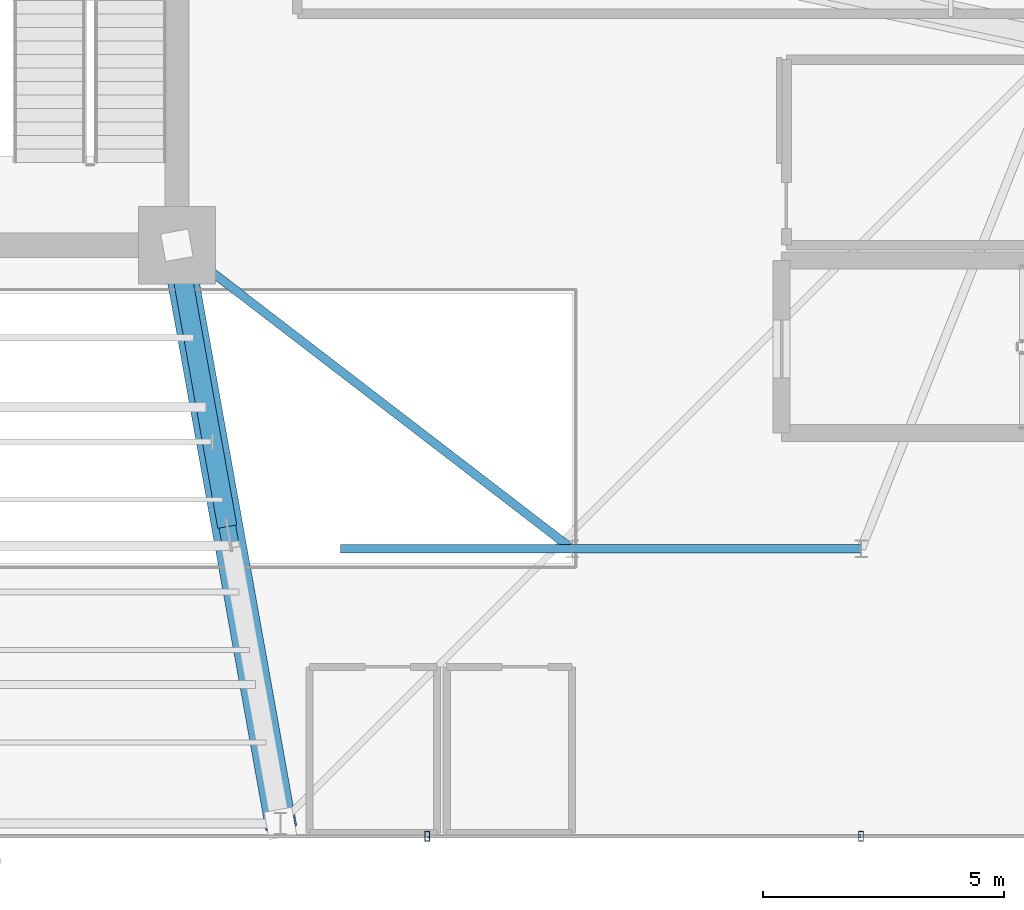
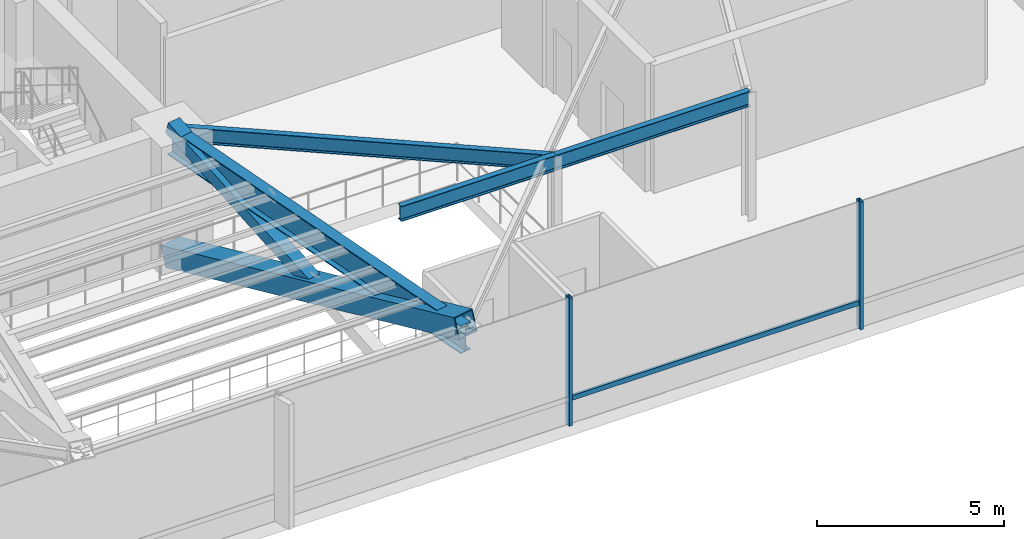
# One storey, part 9 of 32: 5 members, 4 beams, 1 element without a shape of its own.
"""IFC4 building model written with IfcOpenShell, lengths in metres."""

import ifcopenshell
import ifcopenshell.guid

model = None  # the IFC model being written
_history = None  # IfcOwnerHistory: only IFC2X3 demands one
_inside = {}  # id of a spatial element -> (the spatial element, [elements in it])
_under = {}  # id of a project, library or spatial element -> (it, [spatial elements below it])
_declared = {}  # id of a project -> (the project, [libraries it declares])
_typed = {}  # id of a type object -> (the type object, [elements of that type])
_made_of = {}  # id of a material, layer set ... -> (it, [elements and type objects made of it])


def new_model(schema):
    """Start an empty IFC model of exactly this schema.

    Asked for "IFC4X3", IfcOpenShell would pick the latest addendum, in which some entities
    have other attributes; the version numbers below select the first issue.
    IFC2X3 requires an IfcOwnerHistory on every rooted entity: one is made here for all.
    """
    global model, _history
    if schema == "IFC4X3":
        model = ifcopenshell.file(schema_version=(4, 3, 0, 0))
    else:
        model = ifcopenshell.file(schema=schema)
    _inside.clear()
    _under.clear()
    _declared.clear()
    _typed.clear()
    _made_of.clear()
    _history = None
    if model.schema == "IFC2X3":
        org = make("IfcOrganization", Name="unknown")
        user = make(
            "IfcPersonAndOrganization",
            ThePerson=make("IfcPerson", FamilyName="unknown"),
            TheOrganization=org,
        )
        app = make(
            "IfcApplication",
            ApplicationDeveloper=org,
            Version="unknown",
            ApplicationFullName="unknown",
            ApplicationIdentifier="unknown",
        )
        _history = make(
            "IfcOwnerHistory",
            OwningUser=user,
            OwningApplication=app,
            ChangeAction="ADDED",
            CreationDate=0,
        )
    return model


def make(cls, **values):
    """One entity of the class cls with the attributes given. An attribute that is None is left unset."""
    return model.create_entity(
        cls, **{name: value for name, value in values.items() if value is not None}
    )


def rooted(cls, **values):
    """An entity with a GlobalId (a new one), such as an element, a storey or a relation."""
    return make(cls, GlobalId=ifcopenshell.guid.new(), OwnerHistory=_history, **values)


def si_unit(unit_type, name, prefix=None):
    """IfcSIUnit, for example si_unit("LENGTHUNIT", "METRE", prefix="MILLI")."""
    return make("IfcSIUnit", UnitType=unit_type, Prefix=prefix, Name=name)


def assignment(units):
    """IfcUnitAssignment: the units of a project."""
    return None if units is None else make("IfcUnitAssignment", Units=units)


def point(xyz):
    """IfcCartesianPoint."""
    return None if xyz is None else make("IfcCartesianPoint", Coordinates=xyz)


def direction(xyz):
    """IfcDirection."""
    return None if xyz is None else make("IfcDirection", DirectionRatios=xyz)


def frame(location, z_axis=None, x_axis=None):
    """IfcAxis2Placement3D, a coordinate frame: its origin and axes. An axis left out is left unset."""
    return make(
        "IfcAxis2Placement3D",
        Location=point(location),
        Axis=direction(z_axis),
        RefDirection=direction(x_axis),
    )


def frame_2d(location, x_axis=None):
    """IfcAxis2Placement2D, a coordinate frame in the plane: its origin and x axis."""
    return make(
        "IfcAxis2Placement2D", Location=point(location), RefDirection=direction(x_axis)
    )


def origin():
    """The frame at (0, 0, 0) with its axes left unset."""
    return frame((0.0, 0.0, 0.0))


def origin_2d():
    """The frame at (0, 0) in the plane with its x axis left unset."""
    return frame_2d((0.0, 0.0))


def place(relative_to, where):
    """IfcLocalPlacement: puts the frame where relative to a parent placement (None: the world)."""
    return make(
        "IfcLocalPlacement", PlacementRelTo=relative_to, RelativePlacement=where
    )


def context(
    kind, dimensions, precision=None, world=None, true_north=None, identifier=None
):
    """IfcGeometricRepresentationContext, for example the 3D "Model" context."""
    return make(
        "IfcGeometricRepresentationContext",
        ContextIdentifier=identifier,
        ContextType=kind,
        CoordinateSpaceDimension=dimensions,
        Precision=precision,
        WorldCoordinateSystem=world,
        TrueNorth=true_north,
    )


def subcontext(parent, identifier, kind, view, scale=None):
    """IfcGeometricRepresentationSubContext, for example "Body" below "Model"."""
    return make(
        "IfcGeometricRepresentationSubContext",
        ContextIdentifier=identifier,
        ContextType=kind,
        ParentContext=parent,
        TargetScale=scale,
        TargetView=view,
    )


def project(units=None, contexts=None):
    """IfcProject with its units and contexts."""
    return rooted(
        "IfcProject",
        Name="project",
        RepresentationContexts=contexts,
        UnitsInContext=assignment(units),
    )


def spatial(cls, under=None, at=None, **own):
    """A site, building, storey or space (cls), placed at a placement, below another one or the project."""
    s = rooted(cls, ObjectPlacement=at, **own)
    if under is not None:
        _under.setdefault(under.id(), (under, []))[1].append(s)
    return s


def profile(cls, at=None, kind="AREA", **sizes):
    """A parametric profile (cls). Its sizes go by their IFC names, for example OverallWidth=200.0."""
    return make(cls, ProfileType=kind, Position=at, **sizes)


def hollow_rectangle(**sizes):
    """IfcRectangleHollowProfileDef."""
    return profile("IfcRectangleHollowProfileDef", **sizes)


def i_section(**sizes):
    """IfcIShapeProfileDef."""
    return profile("IfcIShapeProfileDef", **sizes)


def extrude(swept, where, along, depth):
    """IfcExtrudedAreaSolid: the profile swept, set in the frame where, extruded along a direction by depth."""
    return make(
        "IfcExtrudedAreaSolid",
        SweptArea=swept,
        Position=where,
        ExtrudedDirection=direction(along),
        Depth=depth,
    )


def shape(context_of_items, identifier, shape_type, items):
    """IfcShapeRepresentation: the items that make up one representation, for example the "Body"."""
    return make(
        "IfcShapeRepresentation",
        ContextOfItems=context_of_items,
        RepresentationIdentifier=identifier,
        RepresentationType=shape_type,
        Items=items,
    )


def source(mapping_origin, context_of_items, identifier, shape_type, items):
    """IfcRepresentationMap: a shape defined once, which mapped items show again and again."""
    return make(
        "IfcRepresentationMap",
        MappingOrigin=mapping_origin,
        MappedRepresentation=shape(context_of_items, identifier, shape_type, items),
    )


def transform(
    local_origin,
    x_axis=None,
    y_axis=None,
    z_axis=None,
    scale=None,
    scale2=None,
    scale3=None,
    uniform=True,
):
    """IfcCartesianTransformationOperator3D, or its non-uniform kind. x_axis, y_axis, z_axis: its Axis1, 2, 3."""
    if uniform:
        return make(
            "IfcCartesianTransformationOperator3D",
            Axis1=direction(x_axis),
            Axis2=direction(y_axis),
            LocalOrigin=point(local_origin),
            Scale=scale,
            Axis3=direction(z_axis),
        )
    return make(
        "IfcCartesianTransformationOperator3DnonUniform",
        Axis1=direction(x_axis),
        Axis2=direction(y_axis),
        LocalOrigin=point(local_origin),
        Scale=scale,
        Axis3=direction(z_axis),
        Scale2=scale2,
        Scale3=scale3,
    )


def mapped(mapping_source, mapping_target):
    """IfcMappedItem: shows the shape of a source again, moved by a transform."""
    return make(
        "IfcMappedItem", MappingSource=mapping_source, MappingTarget=mapping_target
    )


def material(Name=None, Category=None):
    """IfcMaterial."""
    return make("IfcMaterial", Name=Name, Category=Category)


def material_profile(
    of_material, cross_section, Name=None, Category=None, Priority=None
):
    """IfcMaterialProfile: a cross section and its material."""
    return make(
        "IfcMaterialProfile",
        Name=Name,
        Material=of_material,
        Profile=cross_section,
        Priority=Priority,
        Category=Category,
    )


def profile_set(profiles, Name=None, composite=None):
    """IfcMaterialProfileSet."""
    return make(
        "IfcMaterialProfileSet",
        Name=Name,
        MaterialProfiles=profiles,
        CompositeProfile=composite,
    )


def made_of(thing, what):
    """Note that an element or type object is made of a material, layer set ...; save() writes the relation."""
    if what is not None:
        _made_of.setdefault(what.id(), (what, []))[1].append(thing)
    return thing


def type_object(cls, material=None, **own):
    """A type object (cls), such as IfcWallType, which elements share."""
    return made_of(rooted(cls, **own), material)


def element(
    cls,
    number,
    at=None,
    inside=None,
    cuts=None,
    type_object=None,
    material=None,
    context=None,
    identifier="Body",
    shape_type=None,
    held_by="IfcProductDefinitionShape",
    body=None,
    shapes=None,
    **own,
):
    """One element of the class cls, such as IfcWall. Its Tag is "e" and its number.

    at: its placement. inside: the storey or other place that contains it. cuts: it is an
    opening in that element (IfcRelVoidsElement). A single representation is given by context,
    identifier, shape_type and body (its items); several are given by shapes. held_by: the class
    of the entity that holds the representations. save() writes the other relations.
    """
    e = rooted(cls, Tag="e%d" % number, ObjectPlacement=at, **own)
    if body is not None:
        shapes = [shape(context, identifier, shape_type, body)]
    if shapes is not None:
        e.Representation = make(held_by, Representations=shapes)
    if inside is not None:
        _inside.setdefault(inside.id(), (inside, []))[1].append(e)
    if cuts is not None:
        rooted(
            "IfcRelVoidsElement", RelatingBuildingElement=cuts, RelatedOpeningElement=e
        )
    if type_object is not None:
        _typed.setdefault(type_object.id(), (type_object, []))[1].append(e)
    return made_of(e, material)


def aggregate(whole, parts):
    """IfcRelAggregates: a whole, such as a stair, and the parts it consists of."""
    return rooted("IfcRelAggregates", RelatingObject=whole, RelatedObjects=parts)


def save(model, path):
    """Write the relations noted so far, then the file.

    IfcRelAggregates (storeys below a building ...), IfcRelContainedInSpatialStructure (elements
    in a storey), IfcRelDefinesByType, IfcRelAssociatesMaterial and IfcRelDeclares: one each for
    every whole, place, type object, material and project.
    """
    for whole, parts in _under.values():
        aggregate(whole, parts)
    for where, things in _inside.values():
        rooted(
            "IfcRelContainedInSpatialStructure",
            RelatedElements=things,
            RelatingStructure=where,
        )
    for kind, things in _typed.values():
        rooted("IfcRelDefinesByType", RelatedObjects=things, RelatingType=kind)
    for what, things in _made_of.values():
        rooted("IfcRelAssociatesMaterial", RelatedObjects=things, RelatingMaterial=what)
    for by, libraries in _declared.values():
        rooted("IfcRelDeclares", RelatingContext=by, RelatedDefinitions=libraries)
    model.write(path)


model = new_model("IFC4")

# Units and contexts
model_context = context("Model", 3, precision=1e-05, world=origin(), true_north=direction((0.0, 1.0)))
body_context = subcontext(model_context, "Body", "Model", "MODEL_VIEW")
ifc_project = project(units=[si_unit("LENGTHUNIT", "METRE"), si_unit("AREAUNIT", "SQUARE_METRE"), si_unit("VOLUMEUNIT", "CUBIC_METRE"), si_unit("PLANEANGLEUNIT", "RADIAN"), si_unit("MASSUNIT", "GRAM", prefix="KILO")], contexts=[model_context])

# Site, building, storey
site_placement = place(None, origin())
site = spatial("IfcSite", under=ifc_project, at=site_placement, CompositionType="ELEMENT")
building_placement = place(site_placement, origin())
building = spatial("IfcBuilding", under=site, at=building_placement, Name="Sahyath Konkavel Grand Hotel", CompositionType="ELEMENT")
storey_placement = place(building_placement, frame((0.0, 0.0, 14.10009765625)))
storey = spatial("IfcBuildingStorey", under=building, at=storey_placement, Name="L03", CompositionType="ELEMENT", Elevation=14.10009765625)

# Beams
ifc_material_1 = material(Name="Steel E350", Category="steel")
ifc_material_profile_1 = material_profile(ifc_material_1, i_section(OverallWidth=0.179931640625, OverallDepth=0.5, WebThickness=0.01025390625, FlangeThickness=0.01708984375, FilletRadius=0.01708984375, at=origin_2d()), Name="ISMB 500")
ifc_profile_set_1 = profile_set([ifc_material_profile_1], Name="Steel E350")
beam_type_1 = type_object("IfcBeamType", Name="BM-ISMB500", PredefinedType="BEAM", material=ifc_profile_set_1)
shared_shape_1 = source(origin(), body_context, "Body", "SweptSolid", [
    extrude(i_section(OverallWidth=0.179931640625, OverallDepth=0.5, WebThickness=0.01025390625, FlangeThickness=0.01708984375, FilletRadius=0.01708984375, at=origin_2d()), origin(), (0.0, 0.0, 1.0), 6.0),
])
beam_1_placement = place(storey_placement, frame((12.0, -16.5, 3.929931640625), z_axis=(1.0, 0.0, 0.0), x_axis=(0.0, 1.0, 0.0)))
element("IfcBeam", 1, at=beam_1_placement, inside=storey, type_object=beam_type_1, Name="str:bm:L03:POD34-08", PredefinedType="BEAM", context=body_context, shape_type="MappedRepresentation", body=[
    mapped(shared_shape_1, transform((0.0, 0.0, 0.0), scale=1.0)),
])
shared_shape_2 = source(origin(), body_context, "Body", "SweptSolid", [
    extrude(i_section(OverallWidth=0.179931640625, OverallDepth=0.5, WebThickness=0.01025390625, FlangeThickness=0.01708984375, FilletRadius=0.01708984375, at=origin_2d()), origin(), (0.0, 0.0, 1.0), 4.800048828125),
])
beam_2_placement = place(storey_placement, frame((7.199951171875, -16.5, 3.929931640625), z_axis=(1.0, 0.0, 0.0), x_axis=(0.0, 1.0, 0.0)))
element("IfcBeam", 2, at=beam_2_placement, inside=storey, type_object=beam_type_1, Name="str:bm:L03:POD34-07", PredefinedType="BEAM", context=body_context, shape_type="MappedRepresentation", body=[
    mapped(shared_shape_2, transform((0.0, 0.0, 0.0), scale=1.0)),
])
shared_shape_3 = source(origin(), body_context, "Body", "SweptSolid", [
    extrude(i_section(OverallWidth=0.179931640625, OverallDepth=0.5, WebThickness=0.01025390625, FlangeThickness=0.01708984375, FilletRadius=0.01708984375, at=origin_2d()), origin(), (0.0, 0.0, 1.0), 10.340576171875),
])
beam_3_placement = place(storey_placement, frame((12.0, -16.5, 3.929931640625), z_axis=(-0.792979316573, 0.60924855641, 0.0), x_axis=(-0.60924855641, -0.792979316573, 0.0)))
element("IfcBeam", 3, at=beam_3_placement, inside=storey, type_object=beam_type_1, Name="str:bm:L03:POD34-15", PredefinedType="BEAM", context=body_context, shape_type="MappedRepresentation", body=[
    mapped(shared_shape_3, transform((0.0, 0.0, 0.0), scale=1.0)),
])
ifc_material_2 = material(Name="Steel E450", Category="steel")
ifc_material_profile_2 = material_profile(ifc_material_2, i_section(OverallWidth=0.35009765625, OverallDepth=0.89990234375, WebThickness=0.01806640625, FlangeThickness=0.031982421875, at=origin_2d()), Name="BPG 900x350")
ifc_profile_set_2 = profile_set([ifc_material_profile_2], Name="Steel E450")
beam_type_2 = type_object("IfcBeamType", Name="BM-BPG900", PredefinedType="BEAM", material=ifc_profile_set_2)
shared_shape_4 = source(origin(), body_context, "Body", "SweptSolid", [
    extrude(i_section(OverallWidth=0.35009765625, OverallDepth=0.89990234375, WebThickness=0.01806640625, FlangeThickness=0.031982421875, at=origin_2d()), origin(), (0.0, 0.0, 1.0), 12.191162109375),
])
beam_4_placement = place(storey_placement, frame((3.800048828125, -10.199951171875, 3.72998046875), z_axis=(0.176350650305, -0.984327409014, 0.0), x_axis=(0.984327409014, 0.176350650305, 0.0)))
element("IfcBeam", 4, at=beam_4_placement, inside=storey, type_object=beam_type_2, Name="L03 Cruciform Radial Girder SB", PredefinedType="BEAM", context=body_context, shape_type="MappedRepresentation", body=[
    mapped(shared_shape_4, transform((0.0, 0.0, 0.0), scale=1.0)),
])

# Members
ifc_material_profile_3 = material_profile(ifc_material_2, hollow_rectangle(XDim=0.64990234375, YDim=0.64990234375, WallThickness=0.031982421875, at=origin_2d()), Name="BOX 650x650x32")
ifc_profile_set_3 = profile_set([ifc_material_profile_3], Name="Steel E450")
member_type_1 = type_object("IfcMemberType", Name="BR-BOX650", PredefinedType="BRACE", material=ifc_profile_set_3)
shared_shape_5 = source(origin(), body_context, "Body", "SweptSolid", [
    extrude(hollow_rectangle(XDim=0.64990234375, YDim=0.64990234375, WallThickness=0.031982421875, at=origin_2d()), origin(), (0.0, 0.0, 1.0), 12.88134765625),
])
member_1_placement = place(storey_placement, frame((3.800048828125, -10.199951171875, 0.010009765625), z_axis=(0.166901511413, -0.931585633543, 0.322942863158), x_axis=(0.984327409014, 0.176350650305, 0.0)))
element("IfcMember", 5, at=member_1_placement, inside=storey, type_object=member_type_1, Name="L03 Ballroom Steel Transfer Truss SB Continuous Diagonal 1", PredefinedType="BRACE", context=body_context, shape_type="MappedRepresentation", body=[
    mapped(shared_shape_5, transform((0.0, 0.0, 0.0), scale=1.0)),
])
ifc_material_profile_4 = material_profile(ifc_material_2, hollow_rectangle(XDim=0.39990234375, YDim=0.39990234375, WallThickness=0.02001953125, at=origin_2d()), Name="SHS 400x400x20")
ifc_profile_set_4 = profile_set([ifc_material_profile_4], Name="Steel E450")
member_type_2 = type_object("IfcMemberType", Name="BR-SHS400", PredefinedType="BRACE", material=ifc_profile_set_4)
shared_shape_6 = source(origin(), body_context, "Body", "SweptSolid", [
    extrude(hollow_rectangle(XDim=0.39990234375, YDim=0.39990234375, WallThickness=0.02001953125, at=origin_2d()), origin(), (0.0, 0.0, 1.0), 6.20068359375),
])
member_2_placement = place(storey_placement, frame((4.8349609375, -15.976318359375, 2.16748046875), z_axis=(-0.16690560693, 0.931584491619, 0.322944040586), x_axis=(-0.984326620303, -0.176355052556, 0.0)))
element("IfcMember", 6, at=member_2_placement, inside=storey, type_object=member_type_2, Name="L03 Ballroom Steel Transfer Truss SB Split Upper Diagonal 2B", PredefinedType="BRACE", context=body_context, shape_type="MappedRepresentation", body=[
    mapped(shared_shape_6, transform((0.0, 0.0, 0.0), scale=1.0)),
])

# Curtain wall, members
ifc_material_3 = material(Name="Anodised Bronze Aluminium & Low-E Glazing", Category="aluminium")
curtain_wall_type = type_object("IfcCurtainWallType", Name="CW-PODIUM", PredefinedType="NOTDEFINED", material=ifc_material_3)
curtain_wall_placement = place(storey_placement, origin())
curtain_wall = element("IfcCurtainWall", 7, at=curtain_wall_placement, inside=storey, type_object=curtain_wall_type, Name="L03 Unitised Curtain Wall S", PredefinedType="NOTDEFINED")
ifc_material_4 = material(Name="Anodised Bronze Aluminium", Category="aluminium")
ifc_material_profile_5 = material_profile(ifc_material_4, hollow_rectangle(XDim=0.10009765625, YDim=0.199951171875, WallThickness=0.008056640625, at=origin_2d()), Name="RHS 200x100x8")
ifc_profile_set_5 = profile_set([ifc_material_profile_5], Name="Anodised Bronze Aluminium")
member_type_3 = type_object("IfcMemberType", Name="CW-MUL-200", PredefinedType="MULLION", material=ifc_profile_set_5)
shared_shape_7 = source(origin(), body_context, "Body", "SweptSolid", [
    extrude(hollow_rectangle(XDim=0.10009765625, YDim=0.199951171875, WallThickness=0.008056640625, at=origin_2d()), origin(), (0.0, 0.0, 1.0), 4.179931640625),
])
member_3_placement = place(storey_placement, frame((8.998779296875, -22.465087890625, 0.0), z_axis=(0.0, 0.0, 1.0), x_axis=(1.0, 0.0, 0.0)))
member_3 = element("IfcMember", 8, at=member_3_placement, type_object=member_type_3, Name="L03 Curtain Wall Mullion S-4", PredefinedType="MULLION", context=body_context, shape_type="MappedRepresentation", body=[
    mapped(shared_shape_7, transform((0.0, 0.0, 0.0), scale=1.0)),
])
member_4_placement = place(storey_placement, frame((17.997314453125, -22.465087890625, 0.0), z_axis=(0.0, 0.0, 1.0), x_axis=(1.0, 0.0, 0.0)))
member_4 = element("IfcMember", 9, at=member_4_placement, type_object=member_type_3, Name="L03 Curtain Wall Mullion S-5", PredefinedType="MULLION", context=body_context, shape_type="MappedRepresentation", body=[
    mapped(shared_shape_7, transform((0.0, 0.0, 0.0), scale=1.0)),
])
ifc_material_profile_6 = material_profile(ifc_material_4, hollow_rectangle(XDim=0.080078125, YDim=0.159912109375, WallThickness=0.006103515625, at=origin_2d()), Name="RHS 160x80x6")
ifc_profile_set_6 = profile_set([ifc_material_profile_6], Name="Anodised Bronze Aluminium")
member_type_4 = type_object("IfcMemberType", Name="CW-TRN-160", PredefinedType="USERDEFINED", material=ifc_profile_set_6)
shared_shape_8 = source(origin(), body_context, "Body", "SweptSolid", [
    extrude(hollow_rectangle(XDim=0.080078125, YDim=0.159912109375, WallThickness=0.006103515625, at=origin_2d()), origin(), (0.0, 0.0, 1.0), 8.99853515625),
])
member_5_placement = place(storey_placement, frame((8.998779296875, -22.465087890625, 0.849853515625), z_axis=(1.0, 0.0, 0.0), x_axis=(0.0, 1.0, 0.0)))
member_5 = element("IfcMember", 10, at=member_5_placement, type_object=member_type_4, Name="L03 Curtain Wall Transom S-4-spandrel", ObjectType="TRANSOM", PredefinedType="USERDEFINED", context=body_context, shape_type="MappedRepresentation", body=[
    mapped(shared_shape_8, transform((0.0, 0.0, 0.0), scale=1.0)),
])
aggregate(curtain_wall, [member_3, member_4, member_5])

save(model, "model.ifc")
